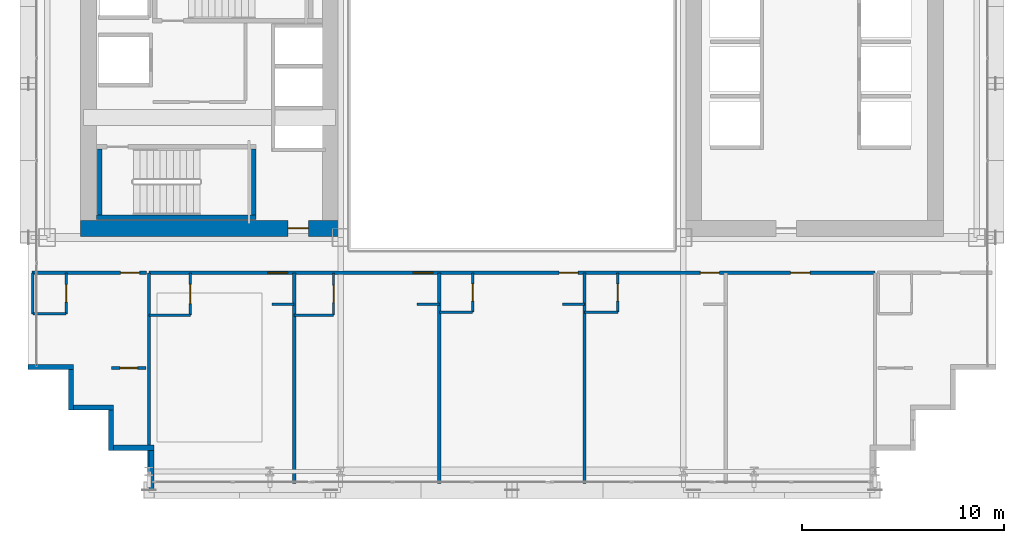
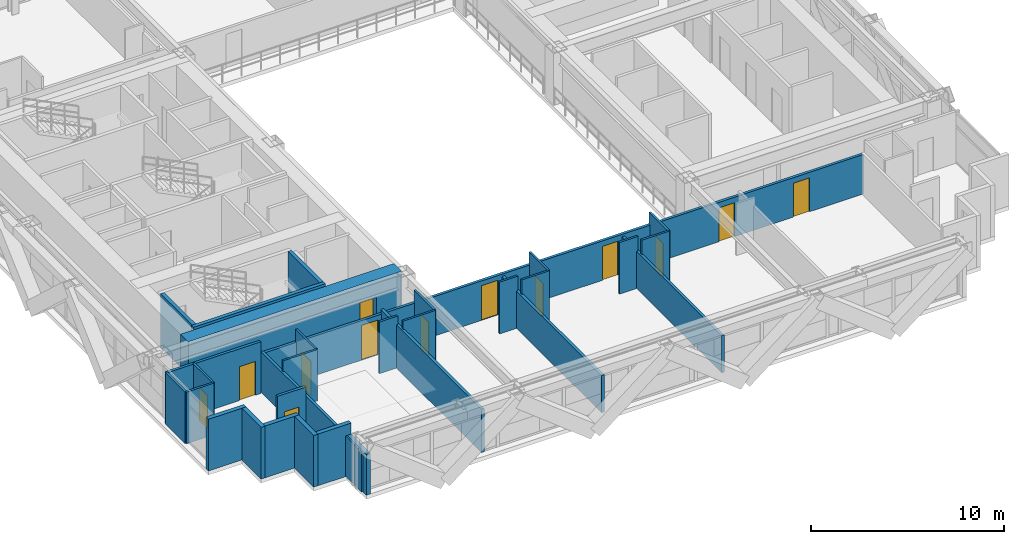
# One storey, part 27 of 35: 31 walls, 13 doors, 13 openings.
"""IFC4 building model written with IfcOpenShell, lengths in metres."""

from ifc_helpers import new_model, si_unit, direction, frame, frame_2d, origin, place, context, subcontext, project, spatial, rectangle, extrude, source, transform, mapped, material, layer, layer_set, type_object, element, fill, save


model = new_model("IFC4")

# Units and contexts
model_context = context("Model", 3, precision=1e-05, world=origin(), true_north=direction((0.0, 1.0)))
body_context = subcontext(model_context, "Body", "Model", "MODEL_VIEW")
ifc_project = project(units=[si_unit("LENGTHUNIT", "METRE"), si_unit("AREAUNIT", "SQUARE_METRE"), si_unit("VOLUMEUNIT", "CUBIC_METRE"), si_unit("PLANEANGLEUNIT", "RADIAN"), si_unit("MASSUNIT", "GRAM", prefix="KILO")], contexts=[model_context])

# Site, building, storey
site_placement = place(None, origin())
site = spatial("IfcSite", under=ifc_project, at=site_placement, CompositionType="ELEMENT")
building_placement = place(site_placement, origin())
building = spatial("IfcBuilding", under=site, at=building_placement, Name="Ocotamira Hotel", CompositionType="ELEMENT")
storey_placement = place(building_placement, frame((0.0, 0.0, 81.60009765625)))
storey = spatial("IfcBuildingStorey", under=building, at=storey_placement, Name="L20", CompositionType="ELEMENT", Elevation=81.60009765625)

# Wall, opening, door
ifc_material_1 = material(Name="Concrete C60/75", Category="concrete")
ifc_layer_1 = layer(ifc_material_1, 0.800048828125)
ifc_layer_set_1 = layer_set([ifc_layer_1], Name="Concrete C60/75")
wall_type_1 = type_object("IfcWallType", Name="WL-CORE-800", PredefinedType="SHEAR", material=ifc_layer_set_1)
wall_1_placement = place(storey_placement, frame((10.60009765625, 15.0, 0.0), z_axis=(0.0, 0.0, 1.0), x_axis=(1.0, 0.0, 0.0)))
wall_1 = element("IfcWall", 1, at=wall_1_placement, inside=storey, type_object=wall_type_1, Name="L20 Shear Core Wall WCORE-S", PredefinedType="SHEAR", context=body_context, shape_type="SweptSolid", body=[
    extrude(rectangle(XDim=12.7998046875, YDim=0.800048828125, at=frame_2d((6.39990234375, 0.0))), origin(), (0.0, 0.0, 1.0), 3.27978515625),
])
opening_1_placement = place(wall_1_placement, frame((10.300048828125, 0.0, 0.0)))
opening_1 = element("IfcOpeningElement", 2, at=opening_1_placement, cuts=wall_1, Name="Opening D-FR2", PredefinedType="OPENING", context=body_context, shape_type="SweptSolid", body=[
    extrude(rectangle(XDim=1.0, YDim=2.14990234375, at=frame_2d((0.5, 1.074951171875))), frame((0.0, 0.41015625, 0.0), z_axis=(0.0, -1.0, 0.0), x_axis=(1.0, 0.0, 0.0)), (0.0, 0.0, 1.0), 0.820068359375),
])
ifc_material_2 = material(Name="Fire-rated acoustic timber-veneer door", Category="wood")
door_type_1 = type_object("IfcDoorType", Name="DR-FIRE-1000", OperationType="NOTDEFINED", PredefinedType="DOOR", material=ifc_material_2)
shared_shape_1 = source(origin(), body_context, "Body", "SweptSolid", [
    extrude(rectangle(XDim=1.0, YDim=2.14990234375, at=frame_2d((0.5, 1.074951171875))), frame((0.0, 0.02490234375, 0.0), z_axis=(0.0, -1.0, 0.0), x_axis=(1.0, 0.0, 0.0)), (0.0, 0.0, 1.0), 0.050048828125),
])
door_1_placement = place(opening_1_placement, origin())
door_1 = element("IfcDoor", 3, at=door_1_placement, inside=storey, type_object=door_type_1, Name="L20 Door ID-L20-WLOB-S-D [ID-L20-WLOB-S-D]", OperationType="SINGLE_SWING_LEFT", OverallHeight=2.14990234375, OverallWidth=1.0, PredefinedType="DOOR", context=body_context, shape_type="MappedRepresentation", body=[
    mapped(shared_shape_1, transform((0.0, 0.0, 0.0), scale=1.0)),
])
fill(opening_1, door_1)

# Walls
ifc_material_3 = material(Name="Precast concrete C45/55", Category="concrete")
ifc_layer_2 = layer(ifc_material_3, 0.25)
ifc_layer_set_2 = layer_set([ifc_layer_2], Name="Precast concrete C45/55")
wall_type_2 = type_object("IfcWallType", Name="WL-EXT-SER-250", PredefinedType="SOLIDWALL", material=ifc_layer_set_2)
wall_2_placement = place(storey_placement, frame((8.0, 8.125, 0.0), z_axis=(0.0, 0.0, 1.0), x_axis=(1.0, 0.0, 0.0)))
element("IfcWall", 4, at=wall_2_placement, inside=storey, type_object=wall_type_2, Name="L20 Serrated Corner Wall 19", PredefinedType="SOLIDWALL", context=body_context, shape_type="SweptSolid", body=[
    extrude(rectangle(XDim=2.25, YDim=0.25, at=frame_2d((1.125, 0.0))), origin(), (0.0, 0.0, 1.0), 3.27978515625),
])
for number, where, z_axis, x_axis, name in (
    (5, (10.125, 8.0, 0.0), (0.0, 0.0, 1.0), (0.0, -1.0, 0.0), "L20 Serrated Corner Wall 20"),
    (6, (10.25, 6.125, 0.0), (0.0, 0.0, 1.0), (1.0, 0.0, 0.0), "L20 Serrated Corner Wall 21"),
    (7, (12.125, 6.0, 0.0), (0.0, 0.0, 1.0), (0.0, -1.0, 0.0), "L20 Serrated Corner Wall 22"),
    (8, (12.25, 4.125, 0.0), (0.0, 0.0, 1.0), (1.0, 0.0, 0.0), "L20 Serrated Corner Wall 23"),
):
    element("IfcWall", number, at=place(storey_placement, frame(where, z_axis=z_axis, x_axis=x_axis)), inside=storey, type_object=wall_type_2, Name=name, PredefinedType="SOLIDWALL", context=body_context, shape_type="SweptSolid", body=[
        extrude(rectangle(XDim=2.0, YDim=0.25, at=frame_2d((1.0, 0.0))), origin(), (0.0, 0.0, 1.0), 3.27978515625),
    ])
wall_3_placement = place(storey_placement, frame((14.125, 4.0, 0.0), z_axis=(0.0, 0.0, 1.0), x_axis=(0.0, -1.0, 0.0)))
element("IfcWall", 9, at=wall_3_placement, inside=storey, type_object=wall_type_2, Name="L20 Serrated Corner Wall 24", PredefinedType="SOLIDWALL", context=body_context, shape_type="SweptSolid", body=[
    extrude(rectangle(XDim=2.0, YDim=0.25, at=frame_2d((1.0, 0.0))), origin(), (0.0, 0.0, 1.0), 2.5869140625),
])

# Wall, opening, door
ifc_material_4 = material(Name="Acoustic double-layer fire gypsum board partition", Category="gypsum")
ifc_layer_3 = layer(ifc_material_4, 0.159912109375)
ifc_layer_set_3 = layer_set([ifc_layer_3], Name="Acoustic double-layer fire gypsum board partition")
wall_type_3 = type_object("IfcWallType", Name="WL-FIRE-160", PredefinedType="PARTITIONING", material=ifc_layer_set_3)
wall_4_placement = place(storey_placement, frame((8.199951171875, 12.800048828125, 0.0), z_axis=(0.0, 0.0, 1.0), x_axis=(1.0, 0.0, 0.0)))
wall_4 = element("IfcWall", 10, at=wall_4_placement, inside=storey, type_object=wall_type_3, Name="L20 Interior Wall PW-L20-Z1E-CSW-CW", PredefinedType="PARTITIONING", context=body_context, shape_type="SweptSolid", body=[
    extrude(rectangle(XDim=5.679931640625, YDim=0.159912109375, at=frame_2d((2.83984375, 0.0))), origin(), (0.0, 0.0, 1.0), 3.27978515625),
])
opening_2_placement = place(wall_4_placement, frame((4.39990234375, 0.0, 0.0)))
opening_2 = element("IfcOpeningElement", 11, at=opening_2_placement, cuts=wall_4, Name="Opening D-GR1", PredefinedType="OPENING", context=body_context, shape_type="SweptSolid", body=[
    extrude(rectangle(XDim=0.93994140625, YDim=2.14990234375, at=frame_2d((0.469970703125, 1.074951171875))), frame((0.0, 0.08984375, 0.0), z_axis=(0.0, -1.0, 0.0), x_axis=(1.0, 0.0, 0.0)), (0.0, 0.0, 1.0), 0.179931640625),
])
ifc_material_5 = material(Name="Solid-core walnut suite entrance fire door", Category="wood")
door_type_2 = type_object("IfcDoorType", Name="DR-GUEST-940", OperationType="NOTDEFINED", PredefinedType="DOOR", material=ifc_material_5)
shared_shape_2 = source(origin(), body_context, "Body", "SweptSolid", [
    extrude(rectangle(XDim=0.93994140625, YDim=2.14990234375, at=frame_2d((0.469970703125, 1.074951171875))), frame((0.0, 0.02490234375, 0.0), z_axis=(0.0, -1.0, 0.0), x_axis=(1.0, 0.0, 0.0)), (0.0, 0.0, 1.0), 0.050048828125),
])
door_2_placement = place(opening_2_placement, origin())
door_2 = element("IfcDoor", 12, at=door_2_placement, inside=storey, type_object=door_type_2, Name="L20 Door ID-L20-Z1E-CSW-CD [ID-L20-Z1E-CSW-CD]", OperationType="SINGLE_SWING_RIGHT", OverallHeight=2.14990234375, OverallWidth=0.93994140625, PredefinedType="DOOR", context=body_context, shape_type="MappedRepresentation", body=[
    mapped(shared_shape_2, transform((0.0, 0.0, 0.0), scale=1.0)),
])
fill(opening_2, door_2)

wall_5_placement = place(storey_placement, frame((12.14990234375, 8.080078125, 0.0), z_axis=(0.0, 0.0, 1.0), x_axis=(1.0, 0.0, 0.0)))
wall_5 = element("IfcWall", 13, at=wall_5_placement, inside=storey, type_object=wall_type_3, Name="L20 Interior Wall PW-L20-Z1E-CSW2-CW", PredefinedType="PARTITIONING", context=body_context, shape_type="SweptSolid", body=[
    extrude(rectangle(XDim=1.7001953125, YDim=0.159912109375, at=frame_2d((0.85009765625, 0.0))), origin(), (0.0, 0.0, 1.0), 3.27978515625),
])
opening_3_placement = place(wall_5_placement, frame((0.409912109375, 0.0, 0.0)))
opening_3 = element("IfcOpeningElement", 14, at=opening_3_placement, cuts=wall_5, Name="Opening D-SV2", PredefinedType="OPENING", context=body_context, shape_type="SweptSolid", body=[
    extrude(rectangle(XDim=0.8798828125, YDim=2.14990234375, at=frame_2d((0.43994140625, 1.074951171875))), frame((0.0, 0.08984375, 0.0), z_axis=(0.0, -1.0, 0.0), x_axis=(1.0, 0.0, 0.0)), (0.0, 0.0, 1.0), 0.179931640625),
])
ifc_material_6 = material(Name="Fire-rated painted steel service door", Category="steel")
door_type_3 = type_object("IfcDoorType", Name="DR-SERV-880", OperationType="NOTDEFINED", PredefinedType="DOOR", material=ifc_material_6)
shared_shape_3 = source(origin(), body_context, "Body", "SweptSolid", [
    extrude(rectangle(XDim=0.8798828125, YDim=2.14990234375, at=frame_2d((0.43994140625, 1.074951171875))), frame((0.0, 0.02490234375, 0.0), z_axis=(0.0, -1.0, 0.0), x_axis=(1.0, 0.0, 0.0)), (0.0, 0.0, 1.0), 0.050048828125),
])
door_3_placement = place(opening_3_placement, origin())
door_3 = element("IfcDoor", 15, at=door_3_placement, inside=storey, type_object=door_type_3, Name="L20 Door ID-L20-Z1E-CSW2-CD [ID-L20-Z1E-CSW2-CD]", OperationType="SINGLE_SWING_LEFT", OverallHeight=2.14990234375, OverallWidth=0.8798828125, PredefinedType="DOOR", context=body_context, shape_type="MappedRepresentation", body=[
    mapped(shared_shape_3, transform((0.0, 0.0, 0.0), scale=1.0)),
])
fill(opening_3, door_3)

# Wall, openings, doors
wall_6_placement = place(storey_placement, frame((14.0, 12.800048828125, 0.0), z_axis=(0.0, 0.0, 1.0), x_axis=(1.0, 0.0, 0.0)))
wall_6 = element("IfcWall", 16, at=wall_6_placement, inside=storey, type_object=wall_type_3, Name="L20 Interior Wall PW-L20-Z1ES-CORRW", PredefinedType="PARTITIONING", context=body_context, shape_type="SweptSolid", body=[
    extrude(rectangle(XDim=36.0, YDim=0.159912109375, at=frame_2d((18.0, 0.0))), origin(), (0.0, 0.0, 1.0), 2.5009765625),
])
opening_4_placement = place(wall_6_placement, frame((5.89990234375, 0.0, 0.0)))
opening_4 = element("IfcOpeningElement", 17, at=opening_4_placement, cuts=wall_6, Name="Opening D-GR2", PredefinedType="OPENING", context=body_context, shape_type="SweptSolid", body=[
    extrude(rectangle(XDim=0.97998046875, YDim=2.199951171875, at=frame_2d((0.489990234375, 1.10009765625))), frame((0.0, 0.08984375, 0.0), z_axis=(0.0, -1.0, 0.0), x_axis=(1.0, 0.0, 0.0)), (0.0, 0.0, 1.0), 0.179931640625),
])
opening_5_placement = place(wall_6_placement, frame((13.10009765625, 0.0, 0.0)))
opening_5 = element("IfcOpeningElement", 18, at=opening_5_placement, cuts=wall_6, Name="Opening D-GR2", PredefinedType="OPENING", context=body_context, shape_type="SweptSolid", body=[
    extrude(rectangle(XDim=0.97998046875, YDim=2.199951171875, at=frame_2d((0.489990234375, 1.10009765625))), frame((0.0, 0.08984375, 0.0), z_axis=(0.0, -1.0, 0.0), x_axis=(1.0, 0.0, 0.0)), (0.0, 0.0, 1.0), 0.179931640625),
])
opening_6_placement = place(wall_6_placement, frame((20.340087890625, 0.0, 0.0)))
opening_6 = element("IfcOpeningElement", 19, at=opening_6_placement, cuts=wall_6, Name="Opening D-GR1", PredefinedType="OPENING", context=body_context, shape_type="SweptSolid", body=[
    extrude(rectangle(XDim=0.93994140625, YDim=2.14990234375, at=frame_2d((0.469970703125, 1.074951171875))), frame((0.0, 0.08984375, 0.0), z_axis=(0.0, -1.0, 0.0), x_axis=(1.0, 0.0, 0.0)), (0.0, 0.0, 1.0), 0.179931640625),
])
opening_7_placement = place(wall_6_placement, frame((27.340087890625, 0.0, 0.0)))
opening_7 = element("IfcOpeningElement", 20, at=opening_7_placement, cuts=wall_6, Name="Opening D-GR1", PredefinedType="OPENING", context=body_context, shape_type="SweptSolid", body=[
    extrude(rectangle(XDim=0.93994140625, YDim=2.14990234375, at=frame_2d((0.469970703125, 1.074951171875))), frame((0.0, 0.08984375, 0.0), z_axis=(0.0, -1.0, 0.0), x_axis=(1.0, 0.0, 0.0)), (0.0, 0.0, 1.0), 0.179931640625),
])
opening_8_placement = place(wall_6_placement, frame((31.820068359375, 0.0, 0.0)))
opening_8 = element("IfcOpeningElement", 21, at=opening_8_placement, cuts=wall_6, Name="Opening D-SV4", PredefinedType="OPENING", context=body_context, shape_type="SweptSolid", body=[
    extrude(rectangle(XDim=0.9599609375, YDim=2.14990234375, at=frame_2d((0.47998046875, 1.074951171875))), frame((0.0, 0.08984375, 0.0), z_axis=(0.0, -1.0, 0.0), x_axis=(1.0, 0.0, 0.0)), (0.0, 0.0, 1.0), 0.179931640625),
])
ifc_material_7 = material(Name="Fire-rated accessible walnut salon door", Category="wood")
door_type_4 = type_object("IfcDoorType", Name="DR-SERV-960", OperationType="NOTDEFINED", PredefinedType="DOOR", material=ifc_material_7)
shared_shape_4 = source(origin(), body_context, "Body", "SweptSolid", [
    extrude(rectangle(XDim=0.9599609375, YDim=2.14990234375, at=frame_2d((0.47998046875, 1.074951171875))), frame((0.0, 0.02490234375, 0.0), z_axis=(0.0, -1.0, 0.0), x_axis=(1.0, 0.0, 0.0)), (0.0, 0.0, 1.0), 0.050048828125),
])
door_4_placement = place(opening_8_placement, origin())
door_4 = element("IfcDoor", 22, at=door_4_placement, inside=storey, type_object=door_type_4, Name="L20 Door ID-L20-Z1ES-AMD5 [ID-L20-Z1ES-AMD5]", OperationType="SINGLE_SWING_LEFT", OverallHeight=2.14990234375, OverallWidth=0.9599609375, PredefinedType="DOOR", context=body_context, shape_type="MappedRepresentation", body=[
    mapped(shared_shape_4, transform((0.0, 0.0, 0.0), scale=1.0)),
])
fill(opening_8, door_4)
door_5_placement = place(opening_6_placement, origin())
door_5 = element("IfcDoor", 23, at=door_5_placement, inside=storey, type_object=door_type_2, Name="L20 Door ID-L20-Z1ES-RMD3 [ID-L20-Z1ES-RMD3]", OperationType="SINGLE_SWING_LEFT", OverallHeight=2.14990234375, OverallWidth=0.93994140625, PredefinedType="DOOR", context=body_context, shape_type="MappedRepresentation", body=[
    mapped(shared_shape_2, transform((0.0, 0.0, 0.0), scale=1.0)),
])
fill(opening_6, door_5)
door_6_placement = place(opening_7_placement, origin())
door_6 = element("IfcDoor", 24, at=door_6_placement, inside=storey, type_object=door_type_2, Name="L20 Door ID-L20-Z1ES-RMD4 [ID-L20-Z1ES-RMD4]", OperationType="SINGLE_SWING_RIGHT", OverallHeight=2.14990234375, OverallWidth=0.93994140625, PredefinedType="DOOR", context=body_context, shape_type="MappedRepresentation", body=[
    mapped(shared_shape_2, transform((0.0, 0.0, 0.0), scale=1.0)),
])
fill(opening_7, door_6)
ifc_material_8 = material(Name="Solid-core walnut grand-suite entrance fire door", Category="wood")
door_type_5 = type_object("IfcDoorType", Name="DR-GUEST-980", OperationType="NOTDEFINED", PredefinedType="DOOR", material=ifc_material_8)
shared_shape_5 = source(origin(), body_context, "Body", "SweptSolid", [
    extrude(rectangle(XDim=0.97998046875, YDim=2.199951171875, at=frame_2d((0.489990234375, 1.10009765625))), frame((0.0, 0.02490234375, 0.0), z_axis=(0.0, -1.0, 0.0), x_axis=(1.0, 0.0, 0.0)), (0.0, 0.0, 1.0), 0.050048828125),
])
door_7_placement = place(opening_4_placement, origin())
door_7 = element("IfcDoor", 25, at=door_7_placement, inside=storey, type_object=door_type_5, Name="L20 Door ID-L20-Z1ES-RMD1 [ID-L20-Z1ES-RMD1]", OperationType="SINGLE_SWING_LEFT", OverallHeight=2.199951171875, OverallWidth=0.97998046875, PredefinedType="DOOR", context=body_context, shape_type="MappedRepresentation", body=[
    mapped(shared_shape_5, transform((0.0, 0.0, 0.0), scale=1.0)),
])
fill(opening_4, door_7)
door_8_placement = place(opening_5_placement, origin())
door_8 = element("IfcDoor", 26, at=door_8_placement, inside=storey, type_object=door_type_5, Name="L20 Door ID-L20-Z1ES-RMD2 [ID-L20-Z1ES-RMD2]", OperationType="SINGLE_SWING_RIGHT", OverallHeight=2.199951171875, OverallWidth=0.97998046875, PredefinedType="DOOR", context=body_context, shape_type="MappedRepresentation", body=[
    mapped(shared_shape_5, transform((0.0, 0.0, 0.0), scale=1.0)),
])
fill(opening_5, door_8)

# Wall, opening, door
ifc_material_9 = material(Name="Moisture-resistant en-suite tile and gypsum partition", Category="gypsum")
ifc_layer_4 = layer(ifc_material_9, 0.1201171875)
ifc_layer_set_4 = layer_set([ifc_layer_4], Name="Moisture-resistant en-suite tile and gypsum partition")
wall_type_4 = type_object("IfcWallType", Name="WL-PART-120", PredefinedType="PARTITIONING", material=ifc_layer_set_4)
wall_7_placement = place(storey_placement, frame((9.889892578125, 10.760009765625, 0.0), z_axis=(0.0, 0.0, 1.0), x_axis=(0.0, 1.0, 0.0)))
wall_7 = element("IfcWall", 27, at=wall_7_placement, inside=storey, type_object=wall_type_4, Name="L20 Interior Wall PW-L20-Z1E-CSW-BE", PredefinedType="PARTITIONING", context=body_context, shape_type="SweptSolid", body=[
    extrude(rectangle(XDim=2.0400390625, YDim=0.1201171875, at=frame_2d((1.02001953125, 0.0))), origin(), (0.0, 0.0, 1.0), 3.27978515625),
])
opening_9_placement = place(wall_7_placement, frame((0.590087890625, 0.0, 0.0)))
opening_9 = element("IfcOpeningElement", 28, at=opening_9_placement, cuts=wall_7, Name="Opening D-BA1", PredefinedType="OPENING", context=body_context, shape_type="SweptSolid", body=[
    extrude(rectangle(XDim=0.860107421875, YDim=2.10009765625, at=frame_2d((0.43017578125, 1.050048828125))), frame((0.0, 0.070068359375, 0.0), z_axis=(0.0, -1.0, 0.0), x_axis=(1.0, 0.0, 0.0)), (0.0, 0.0, 1.0), 0.14013671875),
])
ifc_material_10 = material(Name="Moisture-sealed en-suite timber door", Category="wood")
door_type_6 = type_object("IfcDoorType", Name="DR-BATH-860", OperationType="NOTDEFINED", PredefinedType="DOOR", material=ifc_material_10)
shared_shape_6 = source(origin(), body_context, "Body", "SweptSolid", [
    extrude(rectangle(XDim=0.860107421875, YDim=2.10009765625, at=frame_2d((0.43017578125, 1.050048828125))), frame((0.0, 0.02490234375, 0.0), z_axis=(0.0, -1.0, 0.0), x_axis=(1.0, 0.0, 0.0)), (0.0, 0.0, 1.0), 0.050048828125),
])
door_9_placement = place(opening_9_placement, origin())
door_9 = element("IfcDoor", 29, at=door_9_placement, inside=storey, type_object=door_type_6, Name="L20 Door ID-L20-Z1E-CSW-BD [ID-L20-Z1E-CSW-BD]", OperationType="SINGLE_SWING_LEFT", OverallHeight=2.10009765625, OverallWidth=0.860107421875, PredefinedType="DOOR", context=body_context, shape_type="MappedRepresentation", body=[
    mapped(shared_shape_6, transform((0.0, 0.0, 0.0), scale=1.0)),
])
fill(opening_9, door_9)

# Walls
wall_8_placement = place(storey_placement, frame((8.239990234375, 10.760009765625, 0.0), z_axis=(0.0, 0.0, 1.0), x_axis=(0.0, 1.0, 0.0)))
element("IfcWall", 30, at=wall_8_placement, inside=storey, type_object=wall_type_4, Name="L20 Interior Wall PW-L20-Z1E-CSW-BW", PredefinedType="PARTITIONING", context=body_context, shape_type="SweptSolid", body=[
    extrude(rectangle(XDim=2.0400390625, YDim=0.1201171875, at=frame_2d((1.02001953125, 0.0))), origin(), (0.0, 0.0, 1.0), 3.27978515625),
])
wall_9_placement = place(storey_placement, frame((8.239990234375, 10.760009765625, 0.0), z_axis=(0.0, 0.0, 1.0), x_axis=(1.0, 0.0, 0.0)))
element("IfcWall", 31, at=wall_9_placement, inside=storey, type_object=wall_type_4, Name="L20 Interior Wall PW-L20-Z1E-CSW-BH", PredefinedType="PARTITIONING", context=body_context, shape_type="SweptSolid", body=[
    extrude(rectangle(XDim=1.64990234375, YDim=0.1201171875, at=frame_2d((0.824951171875, 0.0))), origin(), (0.0, 0.0, 1.0), 3.27978515625),
])

# Wall, opening, door
wall_10_placement = place(storey_placement, frame((16.050048828125, 10.699951171875, 0.0), z_axis=(0.0, 0.0, 1.0), x_axis=(0.0, 1.0, 0.0)))
wall_10 = element("IfcWall", 32, at=wall_10_placement, inside=storey, type_object=wall_type_4, Name="L20 Interior Wall PW-L20-Z1ES-BAE1", PredefinedType="PARTITIONING", context=body_context, shape_type="SweptSolid", body=[
    extrude(rectangle(XDim=2.10009765625, YDim=0.1201171875, at=frame_2d((1.050048828125, 0.0))), origin(), (0.0, 0.0, 1.0), 3.27978515625),
])
opening_10_placement = place(wall_10_placement, frame((0.570068359375, 0.0, 0.0)))
opening_10 = element("IfcOpeningElement", 33, at=opening_10_placement, cuts=wall_10, Name="Opening D-IN1", PredefinedType="OPENING", context=body_context, shape_type="SweptSolid", body=[
    extrude(rectangle(XDim=0.9599609375, YDim=2.14990234375, at=frame_2d((0.47998046875, 1.074951171875))), frame((0.0, 0.070068359375, 0.0), z_axis=(0.0, -1.0, 0.0), x_axis=(1.0, 0.0, 0.0)), (0.0, 0.0, 1.0), 0.14013671875),
])
ifc_material_11 = material(Name="Accessible walnut interior room door", Category="wood")
door_type_7 = type_object("IfcDoorType", Name="DR-INT-960", OperationType="NOTDEFINED", PredefinedType="DOOR", material=ifc_material_11)
door_10_placement = place(opening_10_placement, origin())
door_10 = element("IfcDoor", 34, at=door_10_placement, inside=storey, type_object=door_type_7, Name="L20 Door ID-L20-Z1ES-BAD1 [ID-L20-Z1ES-BAD1]", OperationType="SINGLE_SWING_RIGHT", OverallHeight=2.14990234375, OverallWidth=0.9599609375, PredefinedType="DOOR", context=body_context, shape_type="MappedRepresentation", body=[
    mapped(shared_shape_4, transform((0.0, 0.0, 0.0), scale=1.0)),
])
fill(opening_10, door_10)

# Walls
wall_11_placement = place(storey_placement, frame((14.0, 10.699951171875, 0.0), z_axis=(0.0, 0.0, 1.0), x_axis=(1.0, 0.0, 0.0)))
element("IfcWall", 35, at=wall_11_placement, inside=storey, type_object=wall_type_4, Name="L20 Interior Wall PW-L20-Z1ES-BAS1", PredefinedType="PARTITIONING", context=body_context, shape_type="SweptSolid", body=[
    extrude(rectangle(XDim=2.050048828125, YDim=0.1201171875, at=frame_2d((1.02490234375, 0.0))), origin(), (0.0, 0.0, 1.0), 3.27978515625),
])
wall_12_placement = place(storey_placement, frame((20.10009765625, 11.25, 0.0), z_axis=(0.0, 0.0, 1.0), x_axis=(1.0, 0.0, 0.0)))
element("IfcWall", 36, at=wall_12_placement, inside=storey, type_object=wall_type_4, Name="L20 Interior Wall PW-L20-Z1ES-DRN1", PredefinedType="PARTITIONING", context=body_context, shape_type="SweptSolid", body=[
    extrude(rectangle(XDim=1.099853515625, YDim=0.1201171875, at=frame_2d((0.5498046875, 0.0))), origin(), (0.0, 0.0, 1.0), 3.27978515625),
])

# Wall, opening, door
wall_13_placement = place(storey_placement, frame((23.14990234375, 10.699951171875, 0.0), z_axis=(0.0, 0.0, 1.0), x_axis=(0.0, 1.0, 0.0)))
wall_13 = element("IfcWall", 37, at=wall_13_placement, inside=storey, type_object=wall_type_4, Name="L20 Interior Wall PW-L20-Z1ES-BAE2", PredefinedType="PARTITIONING", context=body_context, shape_type="SweptSolid", body=[
    extrude(rectangle(XDim=2.10009765625, YDim=0.1201171875, at=frame_2d((1.050048828125, 0.0))), origin(), (0.0, 0.0, 1.0), 3.27978515625),
])
opening_11_placement = place(wall_13_placement, frame((0.6201171875, 0.0, 0.0)))
opening_11 = element("IfcOpeningElement", 38, at=opening_11_placement, cuts=wall_13, Name="Opening D-BA1", PredefinedType="OPENING", context=body_context, shape_type="SweptSolid", body=[
    extrude(rectangle(XDim=0.860107421875, YDim=2.10009765625, at=frame_2d((0.43017578125, 1.050048828125))), frame((0.0, 0.070068359375, 0.0), z_axis=(0.0, -1.0, 0.0), x_axis=(1.0, 0.0, 0.0)), (0.0, 0.0, 1.0), 0.14013671875),
])
door_11_placement = place(opening_11_placement, origin())
door_11 = element("IfcDoor", 39, at=door_11_placement, inside=storey, type_object=door_type_6, Name="L20 Door ID-L20-Z1ES-BAD2 [ID-L20-Z1ES-BAD2]", OperationType="SINGLE_SWING_LEFT", OverallHeight=2.10009765625, OverallWidth=0.860107421875, PredefinedType="DOOR", context=body_context, shape_type="MappedRepresentation", body=[
    mapped(shared_shape_6, transform((0.0, 0.0, 0.0), scale=1.0)),
])
fill(opening_11, door_11)

# Walls
wall_14_placement = place(storey_placement, frame((21.199951171875, 10.699951171875, 0.0), z_axis=(0.0, 0.0, 1.0), x_axis=(1.0, 0.0, 0.0)))
element("IfcWall", 40, at=wall_14_placement, inside=storey, type_object=wall_type_4, Name="L20 Interior Wall PW-L20-Z1ES-BAS2", PredefinedType="PARTITIONING", context=body_context, shape_type="SweptSolid", body=[
    extrude(rectangle(XDim=1.949951171875, YDim=0.1201171875, at=frame_2d((0.97509765625, 0.0))), origin(), (0.0, 0.0, 1.0), 3.27978515625),
])
wall_15_placement = place(storey_placement, frame((27.300048828125, 11.25, 0.0), z_axis=(0.0, 0.0, 1.0), x_axis=(1.0, 0.0, 0.0)))
element("IfcWall", 41, at=wall_15_placement, inside=storey, type_object=wall_type_4, Name="L20 Interior Wall PW-L20-Z1ES-DRN2", PredefinedType="PARTITIONING", context=body_context, shape_type="SweptSolid", body=[
    extrude(rectangle(XDim=1.099853515625, YDim=0.1201171875, at=frame_2d((0.5498046875, 0.0))), origin(), (0.0, 0.0, 1.0), 3.27978515625),
])

# Wall, opening, door
wall_16_placement = place(storey_placement, frame((30.050048828125, 10.85009765625, 0.0), z_axis=(0.0, 0.0, 1.0), x_axis=(0.0, 1.0, 0.0)))
wall_16 = element("IfcWall", 42, at=wall_16_placement, inside=storey, type_object=wall_type_4, Name="L20 Interior Wall PW-L20-Z1ES-BAE3", PredefinedType="PARTITIONING", context=body_context, shape_type="SweptSolid", body=[
    extrude(rectangle(XDim=1.949951171875, YDim=0.1201171875, at=frame_2d((0.97509765625, 0.0))), origin(), (0.0, 0.0, 1.0), 3.27978515625),
])
opening_12_placement = place(wall_16_placement, frame((0.544921875, 0.0, 0.0)))
opening_12 = element("IfcOpeningElement", 43, at=opening_12_placement, cuts=wall_16, Name="Opening D-BA1", PredefinedType="OPENING", context=body_context, shape_type="SweptSolid", body=[
    extrude(rectangle(XDim=0.860107421875, YDim=2.10009765625, at=frame_2d((0.43017578125, 1.050048828125))), frame((0.0, 0.070068359375, 0.0), z_axis=(0.0, -1.0, 0.0), x_axis=(1.0, 0.0, 0.0)), (0.0, 0.0, 1.0), 0.14013671875),
])
door_12_placement = place(opening_12_placement, origin())
door_12 = element("IfcDoor", 44, at=door_12_placement, inside=storey, type_object=door_type_6, Name="L20 Door ID-L20-Z1ES-BAD3 [ID-L20-Z1ES-BAD3]", OperationType="SINGLE_SWING_RIGHT", OverallHeight=2.10009765625, OverallWidth=0.860107421875, PredefinedType="DOOR", context=body_context, shape_type="MappedRepresentation", body=[
    mapped(shared_shape_6, transform((0.0, 0.0, 0.0), scale=1.0)),
])
fill(opening_12, door_12)

# Walls
wall_17_placement = place(storey_placement, frame((28.39990234375, 10.85009765625, 0.0), z_axis=(0.0, 0.0, 1.0), x_axis=(1.0, 0.0, 0.0)))
element("IfcWall", 45, at=wall_17_placement, inside=storey, type_object=wall_type_4, Name="L20 Interior Wall PW-L20-Z1ES-BAS3", PredefinedType="PARTITIONING", context=body_context, shape_type="SweptSolid", body=[
    extrude(rectangle(XDim=1.650146484375, YDim=0.1201171875, at=frame_2d((0.8251953125, 0.0))), origin(), (0.0, 0.0, 1.0), 3.27978515625),
])
wall_18_placement = place(storey_placement, frame((34.5, 11.25, 0.0), z_axis=(0.0, 0.0, 1.0), x_axis=(1.0, 0.0, 0.0)))
element("IfcWall", 46, at=wall_18_placement, inside=storey, type_object=wall_type_4, Name="L20 Interior Wall PW-L20-Z1ES-DRN3", PredefinedType="PARTITIONING", context=body_context, shape_type="SweptSolid", body=[
    extrude(rectangle(XDim=1.10009765625, YDim=0.1201171875, at=frame_2d((0.550048828125, 0.0))), origin(), (0.0, 0.0, 1.0), 3.27978515625),
])

# Wall, opening, door
wall_19_placement = place(storey_placement, frame((37.25, 10.85009765625, 0.0), z_axis=(0.0, 0.0, 1.0), x_axis=(0.0, 1.0, 0.0)))
wall_19 = element("IfcWall", 47, at=wall_19_placement, inside=storey, type_object=wall_type_4, Name="L20 Interior Wall PW-L20-Z1ES-BAE4", PredefinedType="PARTITIONING", context=body_context, shape_type="SweptSolid", body=[
    extrude(rectangle(XDim=1.949951171875, YDim=0.1201171875, at=frame_2d((0.97509765625, 0.0))), origin(), (0.0, 0.0, 1.0), 3.27978515625),
])
opening_13_placement = place(wall_19_placement, frame((0.544921875, 0.0, 0.0)))
opening_13 = element("IfcOpeningElement", 48, at=opening_13_placement, cuts=wall_19, Name="Opening D-BA1", PredefinedType="OPENING", context=body_context, shape_type="SweptSolid", body=[
    extrude(rectangle(XDim=0.860107421875, YDim=2.10009765625, at=frame_2d((0.43017578125, 1.050048828125))), frame((0.0, 0.070068359375, 0.0), z_axis=(0.0, -1.0, 0.0), x_axis=(1.0, 0.0, 0.0)), (0.0, 0.0, 1.0), 0.14013671875),
])
door_13_placement = place(opening_13_placement, origin())
door_13 = element("IfcDoor", 49, at=door_13_placement, inside=storey, type_object=door_type_6, Name="L20 Door ID-L20-Z1ES-BAD4 [ID-L20-Z1ES-BAD4]", OperationType="SINGLE_SWING_LEFT", OverallHeight=2.10009765625, OverallWidth=0.860107421875, PredefinedType="DOOR", context=body_context, shape_type="MappedRepresentation", body=[
    mapped(shared_shape_6, transform((0.0, 0.0, 0.0), scale=1.0)),
])
fill(opening_13, door_13)

# Walls
wall_20_placement = place(storey_placement, frame((35.60009765625, 10.85009765625, 0.0), z_axis=(0.0, 0.0, 1.0), x_axis=(1.0, 0.0, 0.0)))
element("IfcWall", 50, at=wall_20_placement, inside=storey, type_object=wall_type_4, Name="L20 Interior Wall PW-L20-Z1ES-BAS4", PredefinedType="PARTITIONING", context=body_context, shape_type="SweptSolid", body=[
    extrude(rectangle(XDim=1.64990234375, YDim=0.1201171875, at=frame_2d((0.824951171875, 0.0))), origin(), (0.0, 0.0, 1.0), 3.27978515625),
])
ifc_material_12 = material(Name="Acoustic double-stud hospitality gypsum partition", Category="gypsum")
ifc_layer_5 = layer(ifc_material_12, 0.159912109375)
ifc_layer_set_5 = layer_set([ifc_layer_5], Name="Acoustic double-stud hospitality gypsum partition")
wall_type_5 = type_object("IfcWallType", Name="WL-PART-160", PredefinedType="PARTITIONING", material=ifc_layer_set_5)
wall_21_placement = place(storey_placement, frame((14.0, 2.360107421875, 0.0), z_axis=(0.0, 0.0, 1.0), x_axis=(0.0, 1.0, 0.0)))
element("IfcWall", 51, at=wall_21_placement, inside=storey, type_object=wall_type_5, Name="L20 Interior Wall PW-L20-Z1ES-PW0", PredefinedType="PARTITIONING", context=body_context, shape_type="SweptSolid", body=[
    extrude(rectangle(XDim=10.43994140625, YDim=0.159912109375, at=frame_2d((5.219970703125, 0.0))), origin(), (0.0, 0.0, 1.0), 2.5869140625),
])
wall_22_placement = place(storey_placement, frame((35.60009765625, 2.360107421875, 0.0), z_axis=(0.0, 0.0, 1.0), x_axis=(0.0, 1.0, 0.0)))
element("IfcWall", 52, at=wall_22_placement, inside=storey, type_object=wall_type_5, Name="L20 Interior Wall PW-L20-Z1ES-PW3", PredefinedType="PARTITIONING", context=body_context, shape_type="SweptSolid", body=[
    extrude(rectangle(XDim=10.43994140625, YDim=0.159912109375, at=frame_2d((5.219970703125, 0.0))), origin(), (0.0, 0.0, 1.0), 2.35986328125),
])
ifc_material_13 = material(Name="Double-stud suite party gypsum partition", Category="gypsum")
ifc_layer_6 = layer(ifc_material_13, 0.175048828125)
ifc_layer_set_6 = layer_set([ifc_layer_6], Name="Double-stud suite party gypsum partition")
wall_type_6 = type_object("IfcWallType", Name="WL-PART-175", PredefinedType="PARTITIONING", material=ifc_layer_set_6)
wall_23_placement = place(storey_placement, frame((21.199951171875, 2.360107421875, 0.0), z_axis=(0.0, 0.0, 1.0), x_axis=(0.0, 1.0, 0.0)))
element("IfcWall", 53, at=wall_23_placement, inside=storey, type_object=wall_type_6, Name="L20 Interior Wall PW-L20-Z1ES-PW1", PredefinedType="PARTITIONING", context=body_context, shape_type="SweptSolid", body=[
    extrude(rectangle(XDim=10.43994140625, YDim=0.175048828125, at=frame_2d((5.219970703125, 0.0))), origin(), (0.0, 0.0, 1.0), 2.742919921875),
])
wall_24_placement = place(storey_placement, frame((28.39990234375, 2.360107421875, 0.0), z_axis=(0.0, 0.0, 1.0), x_axis=(0.0, 1.0, 0.0)))
element("IfcWall", 54, at=wall_24_placement, inside=storey, type_object=wall_type_6, Name="L20 Interior Wall PW-L20-Z1ES-PW2", PredefinedType="PARTITIONING", context=body_context, shape_type="SweptSolid", body=[
    extrude(rectangle(XDim=10.43994140625, YDim=0.175048828125, at=frame_2d((5.219970703125, 0.0))), origin(), (0.0, 0.0, 1.0), 2.35986328125),
])
ifc_material_14 = material(Name="Concrete C50/60", Category="concrete")
ifc_layer_7 = layer(ifc_material_14, 0.219970703125)
ifc_layer_set_7 = layer_set([ifc_layer_7], Name="Concrete C50/60")
wall_type_7 = type_object("IfcWallType", Name="WL-STAIR-220", PredefinedType="SHEAR", material=ifc_layer_set_7)
wall_25_placement = place(storey_placement, frame((11.39990234375, 15.56005859375, 0.0), z_axis=(0.0, 0.0, 1.0), x_axis=(1.0, 0.0, 0.0)))
element("IfcWall", 55, at=wall_25_placement, inside=storey, type_object=wall_type_7, Name="L20 Stair Shaft Structural Wall ST-1-S", PredefinedType="SHEAR", context=body_context, shape_type="SweptSolid", body=[
    extrude(rectangle(XDim=7.91015625, YDim=0.219970703125, at=frame_2d((3.955078125, 0.0))), origin(), (0.0, 0.0, 1.0), 3.39990234375),
])
for number, where, z_axis, x_axis, name in (
    (56, (11.56005859375, 15.669921875, 0.0), (0.0, 0.0, 1.0), (0.0, 1.0, 0.0), "L20 Stair Shaft Structural Wall ST-1-W"),
    (57, (19.199951171875, 15.669921875, 0.0), (0.0, 0.0, 1.0), (0.0, 1.0, 0.0), "L20 Stair Shaft Structural Wall ST-1-E"),
):
    element("IfcWall", number, at=place(storey_placement, frame(where, z_axis=z_axis, x_axis=x_axis)), inside=storey, type_object=wall_type_7, Name=name, PredefinedType="SHEAR", context=body_context, shape_type="SweptSolid", body=[
        extrude(rectangle(XDim=3.280029296875, YDim=0.219970703125, at=frame_2d((1.64013671875, 0.0))), origin(), (0.0, 0.0, 1.0), 3.39990234375),
    ])

save(model, "model.ifc")
